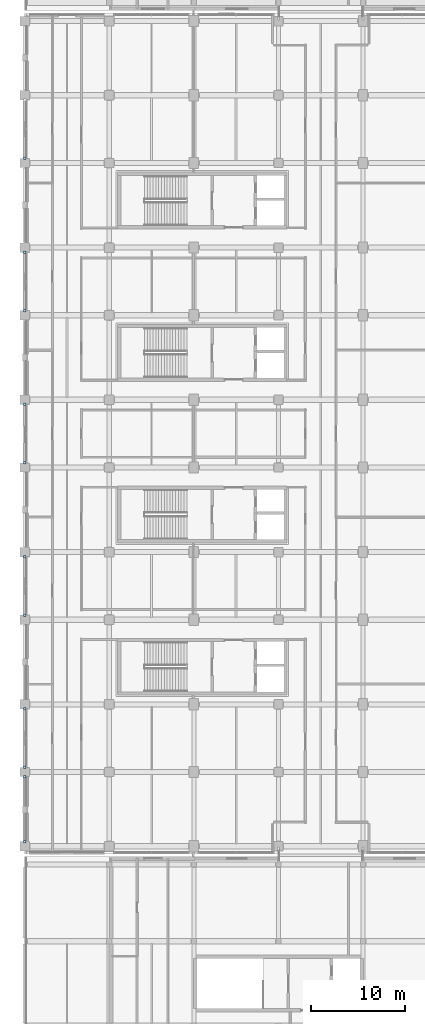
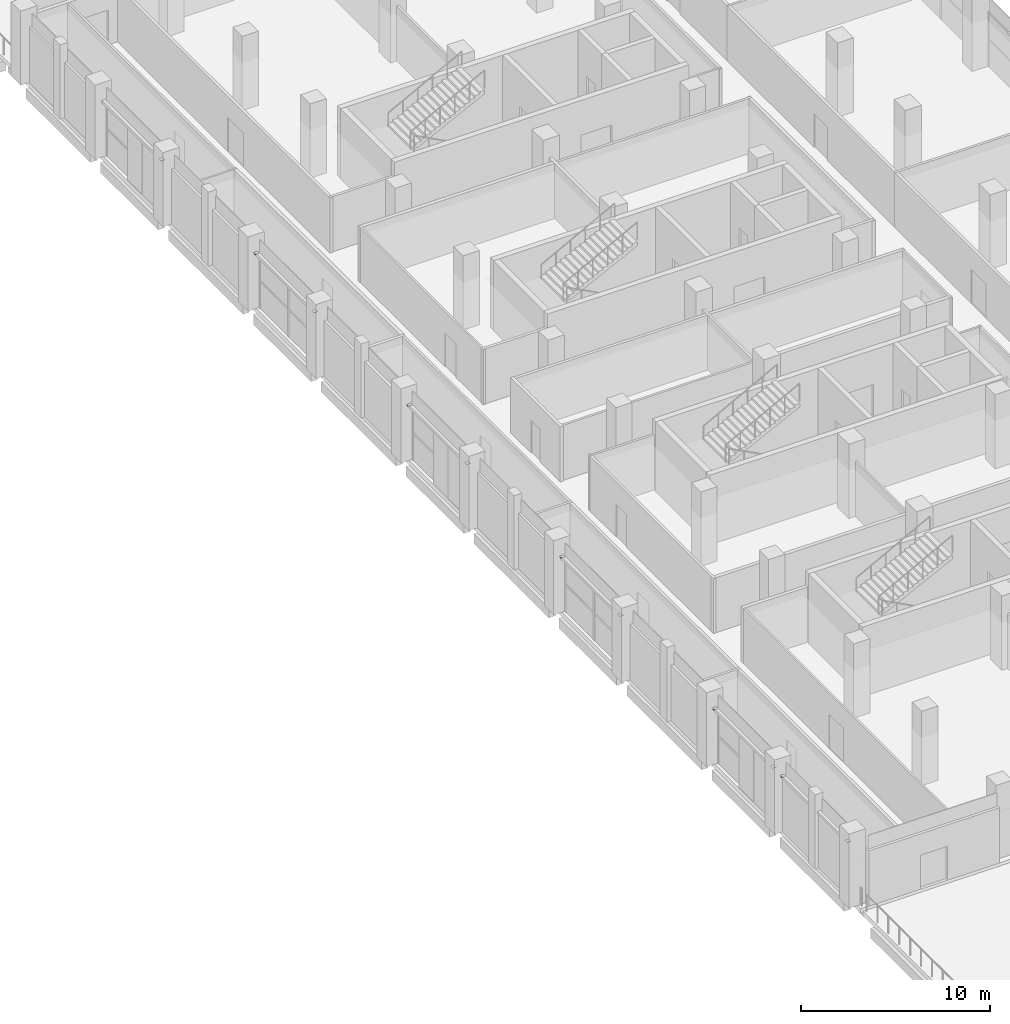
# One storey, part 63 of 111: 11 plates.
"""IFC4 building model written with IfcOpenShell, lengths in metres."""

from ifc_helpers import new_model, si_unit, direction, frame, origin, origin_2d, place, context, subcontext, project, spatial, rectangle, extrude, material, layer, layer_set, type_object, element, save


model = new_model("IFC4")

# Units and contexts
model_context = context("Model", 3, precision=1e-05, world=origin(), true_north=direction((0.0, 1.0)))
body_context = subcontext(model_context, "Body", "Model", "MODEL_VIEW")
ifc_project = project(units=[si_unit("LENGTHUNIT", "METRE"), si_unit("AREAUNIT", "SQUARE_METRE"), si_unit("VOLUMEUNIT", "CUBIC_METRE"), si_unit("PLANEANGLEUNIT", "RADIAN"), si_unit("MASSUNIT", "GRAM", prefix="KILO"), si_unit("THERMODYNAMICTEMPERATUREUNIT", "KELVIN"), si_unit("POWERUNIT", "WATT")], contexts=[model_context])

# Site, building, storey
site_placement = place(None, origin())
site = spatial("IfcSite", under=ifc_project, at=site_placement, CompositionType="ELEMENT")
building_placement = place(site_placement, origin())
building = spatial("IfcBuilding", under=site, at=building_placement, Name="Sindhuravela Promenade Stadium", CompositionType="ELEMENT")
storey_placement = place(building_placement, frame((0.0, 0.0, 9.60009765625)))
storey = spatial("IfcBuildingStorey", under=building, at=storey_placement, Name="L02", CompositionType="ELEMENT", Elevation=9.60009765625)

# Plates
ifc_material = material(Name="Steel E350 (IS 2062 E350BR)", Category="steel")
ifc_layer = layer(ifc_material, 0.02392578125)
ifc_layer_set = layer_set([ifc_layer], Name="Steel E350 (IS 2062 E350BR)")
plate_type = type_object("IfcPlateType", Name="ST-PL-CAP24", PredefinedType="USERDEFINED", material=ifc_layer_set)
for number, where, z_axis, x_axis, name in (
    (1, (0.0, 45.491943359375, 3.587890625), (0.0, 0.0, 1.0), (1.0, 0.0, 0.0), "Brace end gusset plate CP01 BR-0001A"),
    (2, (0.0, 51.7080078125, 3.587890625), (0.0, 0.0, 1.0), (1.0, 0.0, 0.0), "Brace end gusset plate CP01 BR-0002B"),
    (3, (0.0, 61.69189453125, 3.587890625), (0.0, 0.0, 1.0), (1.0, 0.0, 0.0), "Brace end gusset plate CP01 BR-0003A"),
    (4, (0.0, 67.907958984375, 3.587890625), (0.0, 0.0, 1.0), (1.0, 0.0, 0.0), "Brace end gusset plate CP01 BR-0004B"),
    (5, (0.0, 77.89208984375, 3.587890625), (0.0, 0.0, 1.0), (1.0, 0.0, 0.0), "Brace end gusset plate CP01 BR-0005A"),
    (6, (0.0, 84.10791015625, 3.587890625), (0.0, 0.0, 1.0), (1.0, 0.0, 0.0), "Brace end gusset plate CP01 BR-0006B"),
    (7, (0.0, 94.092041015625, 3.587890625), (0.0, 0.0, 1.0), (1.0, 0.0, 0.0), "Brace end gusset plate CP01 BR-0007A"),
    (8, (0.0, 100.30810546875, 3.587890625), (0.0, 0.0, 1.0), (1.0, 0.0, 0.0), "Brace end gusset plate CP01 BR-0008B"),
    (9, (0.0, 110.2919921875, 3.587890625), (0.0, 0.0, 1.0), (1.0, 0.0, 0.0), "Brace end gusset plate CP01 BR-0009A"),
    (10, (0.0, 37.592041015625, 3.587890625), (0.0, 0.0, 1.0), (1.0, 0.0, 0.0), "Brace end gusset plate CP01 BR-0011A"),
    (11, (0.0, 44.508056640625, 3.587890625), (0.0, 0.0, 1.0), (1.0, 0.0, 0.0), "Brace end gusset plate CP01 BR-0012B"),
):
    element("IfcPlate", number, at=place(storey_placement, frame(where, z_axis=z_axis, x_axis=x_axis)), inside=storey, type_object=plate_type, Name=name, ObjectType="GUSSET PLATE", PredefinedType="USERDEFINED", context=body_context, shape_type="SweptSolid", body=[
        extrude(rectangle(XDim=0.260009765625, YDim=0.260009765625, at=origin_2d()), origin(), (0.0, 0.0, 1.0), 0.02392578125),
    ])

save(model, "model.ifc")
